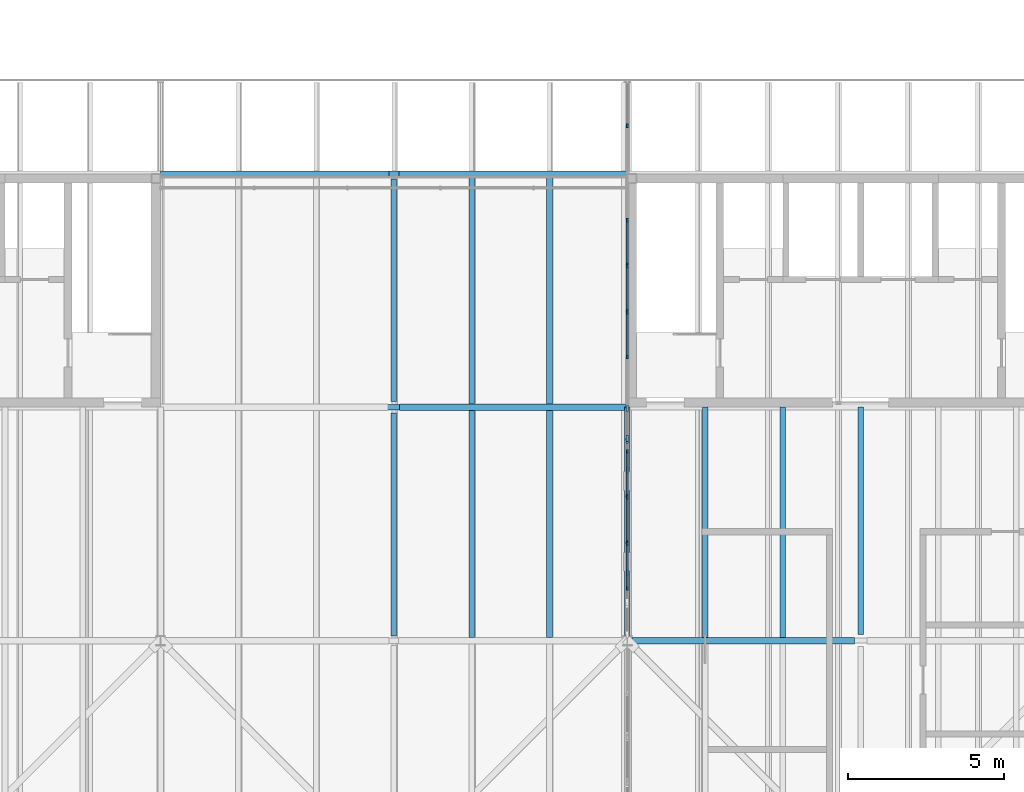
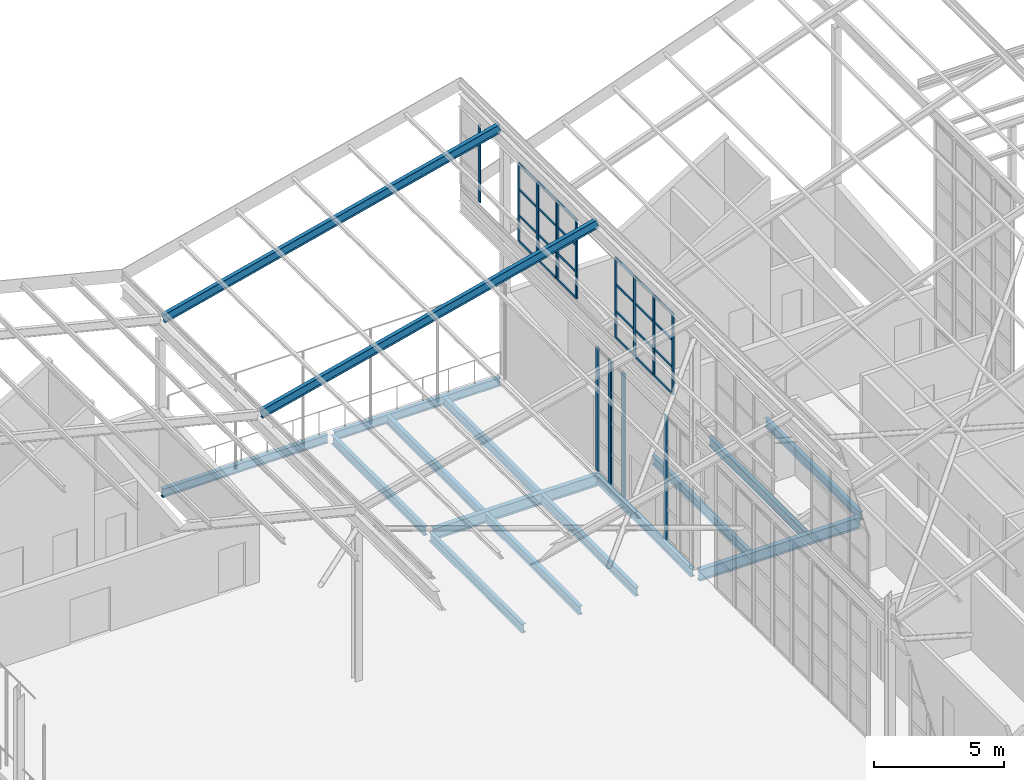
# One storey, part 39 of 483: 44 members, 14 beams, 10 elements without a shape of their own.
"""IFC4 building model written with IfcOpenShell, lengths in metres."""

import ifcopenshell
import ifcopenshell.guid

model = None  # the IFC model being written
_history = None  # IfcOwnerHistory: only IFC2X3 demands one
_inside = {}  # id of a spatial element -> (the spatial element, [elements in it])
_under = {}  # id of a project, library or spatial element -> (it, [spatial elements below it])
_declared = {}  # id of a project -> (the project, [libraries it declares])
_typed = {}  # id of a type object -> (the type object, [elements of that type])
_made_of = {}  # id of a material, layer set ... -> (it, [elements and type objects made of it])


def new_model(schema):
    """Start an empty IFC model of exactly this schema.

    Asked for "IFC4X3", IfcOpenShell would pick the latest addendum, in which some entities
    have other attributes; the version numbers below select the first issue.
    IFC2X3 requires an IfcOwnerHistory on every rooted entity: one is made here for all.
    """
    global model, _history
    if schema == "IFC4X3":
        model = ifcopenshell.file(schema_version=(4, 3, 0, 0))
    else:
        model = ifcopenshell.file(schema=schema)
    _inside.clear()
    _under.clear()
    _declared.clear()
    _typed.clear()
    _made_of.clear()
    _history = None
    if model.schema == "IFC2X3":
        org = make("IfcOrganization", Name="unknown")
        user = make(
            "IfcPersonAndOrganization",
            ThePerson=make("IfcPerson", FamilyName="unknown"),
            TheOrganization=org,
        )
        app = make(
            "IfcApplication",
            ApplicationDeveloper=org,
            Version="unknown",
            ApplicationFullName="unknown",
            ApplicationIdentifier="unknown",
        )
        _history = make(
            "IfcOwnerHistory",
            OwningUser=user,
            OwningApplication=app,
            ChangeAction="ADDED",
            CreationDate=0,
        )
    return model


def make(cls, **values):
    """One entity of the class cls with the attributes given. An attribute that is None is left unset."""
    return model.create_entity(
        cls, **{name: value for name, value in values.items() if value is not None}
    )


def rooted(cls, **values):
    """An entity with a GlobalId (a new one), such as an element, a storey or a relation."""
    return make(cls, GlobalId=ifcopenshell.guid.new(), OwnerHistory=_history, **values)


def si_unit(unit_type, name, prefix=None):
    """IfcSIUnit, for example si_unit("LENGTHUNIT", "METRE", prefix="MILLI")."""
    return make("IfcSIUnit", UnitType=unit_type, Prefix=prefix, Name=name)


def assignment(units):
    """IfcUnitAssignment: the units of a project."""
    return None if units is None else make("IfcUnitAssignment", Units=units)


def point(xyz):
    """IfcCartesianPoint."""
    return None if xyz is None else make("IfcCartesianPoint", Coordinates=xyz)


def direction(xyz):
    """IfcDirection."""
    return None if xyz is None else make("IfcDirection", DirectionRatios=xyz)


def frame(location, z_axis=None, x_axis=None):
    """IfcAxis2Placement3D, a coordinate frame: its origin and axes. An axis left out is left unset."""
    return make(
        "IfcAxis2Placement3D",
        Location=point(location),
        Axis=direction(z_axis),
        RefDirection=direction(x_axis),
    )


def frame_2d(location, x_axis=None):
    """IfcAxis2Placement2D, a coordinate frame in the plane: its origin and x axis."""
    return make(
        "IfcAxis2Placement2D", Location=point(location), RefDirection=direction(x_axis)
    )


def origin():
    """The frame at (0, 0, 0) with its axes left unset."""
    return frame((0.0, 0.0, 0.0))


def origin_2d():
    """The frame at (0, 0) in the plane with its x axis left unset."""
    return frame_2d((0.0, 0.0))


def place(relative_to, where):
    """IfcLocalPlacement: puts the frame where relative to a parent placement (None: the world)."""
    return make(
        "IfcLocalPlacement", PlacementRelTo=relative_to, RelativePlacement=where
    )


def context(
    kind, dimensions, precision=None, world=None, true_north=None, identifier=None
):
    """IfcGeometricRepresentationContext, for example the 3D "Model" context."""
    return make(
        "IfcGeometricRepresentationContext",
        ContextIdentifier=identifier,
        ContextType=kind,
        CoordinateSpaceDimension=dimensions,
        Precision=precision,
        WorldCoordinateSystem=world,
        TrueNorth=true_north,
    )


def subcontext(parent, identifier, kind, view, scale=None):
    """IfcGeometricRepresentationSubContext, for example "Body" below "Model"."""
    return make(
        "IfcGeometricRepresentationSubContext",
        ContextIdentifier=identifier,
        ContextType=kind,
        ParentContext=parent,
        TargetScale=scale,
        TargetView=view,
    )


def project(units=None, contexts=None):
    """IfcProject with its units and contexts."""
    return rooted(
        "IfcProject",
        Name="project",
        RepresentationContexts=contexts,
        UnitsInContext=assignment(units),
    )


def spatial(cls, under=None, at=None, **own):
    """A site, building, storey or space (cls), placed at a placement, below another one or the project."""
    s = rooted(cls, ObjectPlacement=at, **own)
    if under is not None:
        _under.setdefault(under.id(), (under, []))[1].append(s)
    return s


def profile(cls, at=None, kind="AREA", **sizes):
    """A parametric profile (cls). Its sizes go by their IFC names, for example OverallWidth=200.0."""
    return make(cls, ProfileType=kind, Position=at, **sizes)


def rectangle(**sizes):
    """IfcRectangleProfileDef."""
    return profile("IfcRectangleProfileDef", **sizes)


def i_section(**sizes):
    """IfcIShapeProfileDef."""
    return profile("IfcIShapeProfileDef", **sizes)


def extrude(swept, where, along, depth):
    """IfcExtrudedAreaSolid: the profile swept, set in the frame where, extruded along a direction by depth."""
    return make(
        "IfcExtrudedAreaSolid",
        SweptArea=swept,
        Position=where,
        ExtrudedDirection=direction(along),
        Depth=depth,
    )


def shape(context_of_items, identifier, shape_type, items):
    """IfcShapeRepresentation: the items that make up one representation, for example the "Body"."""
    return make(
        "IfcShapeRepresentation",
        ContextOfItems=context_of_items,
        RepresentationIdentifier=identifier,
        RepresentationType=shape_type,
        Items=items,
    )


def material(Name=None, Category=None):
    """IfcMaterial."""
    return make("IfcMaterial", Name=Name, Category=Category)


def material_profile(
    of_material, cross_section, Name=None, Category=None, Priority=None
):
    """IfcMaterialProfile: a cross section and its material."""
    return make(
        "IfcMaterialProfile",
        Name=Name,
        Material=of_material,
        Profile=cross_section,
        Priority=Priority,
        Category=Category,
    )


def profile_set(profiles, Name=None, composite=None):
    """IfcMaterialProfileSet."""
    return make(
        "IfcMaterialProfileSet",
        Name=Name,
        MaterialProfiles=profiles,
        CompositeProfile=composite,
    )


def made_of(thing, what):
    """Note that an element or type object is made of a material, layer set ...; save() writes the relation."""
    if what is not None:
        _made_of.setdefault(what.id(), (what, []))[1].append(thing)
    return thing


def type_object(cls, material=None, **own):
    """A type object (cls), such as IfcWallType, which elements share."""
    return made_of(rooted(cls, **own), material)


def element(
    cls,
    number,
    at=None,
    inside=None,
    cuts=None,
    type_object=None,
    material=None,
    context=None,
    identifier="Body",
    shape_type=None,
    held_by="IfcProductDefinitionShape",
    body=None,
    shapes=None,
    **own,
):
    """One element of the class cls, such as IfcWall. Its Tag is "e" and its number.

    at: its placement. inside: the storey or other place that contains it. cuts: it is an
    opening in that element (IfcRelVoidsElement). A single representation is given by context,
    identifier, shape_type and body (its items); several are given by shapes. held_by: the class
    of the entity that holds the representations. save() writes the other relations.
    """
    e = rooted(cls, Tag="e%d" % number, ObjectPlacement=at, **own)
    if body is not None:
        shapes = [shape(context, identifier, shape_type, body)]
    if shapes is not None:
        e.Representation = make(held_by, Representations=shapes)
    if inside is not None:
        _inside.setdefault(inside.id(), (inside, []))[1].append(e)
    if cuts is not None:
        rooted(
            "IfcRelVoidsElement", RelatingBuildingElement=cuts, RelatedOpeningElement=e
        )
    if type_object is not None:
        _typed.setdefault(type_object.id(), (type_object, []))[1].append(e)
    return made_of(e, material)


def aggregate(whole, parts):
    """IfcRelAggregates: a whole, such as a stair, and the parts it consists of."""
    return rooted("IfcRelAggregates", RelatingObject=whole, RelatedObjects=parts)


def save(model, path):
    """Write the relations noted so far, then the file.

    IfcRelAggregates (storeys below a building ...), IfcRelContainedInSpatialStructure (elements
    in a storey), IfcRelDefinesByType, IfcRelAssociatesMaterial and IfcRelDeclares: one each for
    every whole, place, type object, material and project.
    """
    for whole, parts in _under.values():
        aggregate(whole, parts)
    for where, things in _inside.values():
        rooted(
            "IfcRelContainedInSpatialStructure",
            RelatedElements=things,
            RelatingStructure=where,
        )
    for kind, things in _typed.values():
        rooted("IfcRelDefinesByType", RelatedObjects=things, RelatingType=kind)
    for what, things in _made_of.values():
        rooted("IfcRelAssociatesMaterial", RelatedObjects=things, RelatingMaterial=what)
    for by, libraries in _declared.values():
        rooted("IfcRelDeclares", RelatingContext=by, RelatedDefinitions=libraries)
    model.write(path)


model = new_model("IFC4")

# Units and contexts
model_context = context("Model", 3, precision=1e-05, world=origin(), true_north=direction((0.0, 1.0)))
body_context = subcontext(model_context, "Body", "Model", "MODEL_VIEW")
ifc_project = project(units=[si_unit("LENGTHUNIT", "METRE"), si_unit("AREAUNIT", "SQUARE_METRE"), si_unit("VOLUMEUNIT", "CUBIC_METRE"), si_unit("PLANEANGLEUNIT", "RADIAN"), si_unit("MASSUNIT", "GRAM", prefix="KILO")], contexts=[model_context])

# Site, building, storey
site_placement = place(None, origin())
site = spatial("IfcSite", under=ifc_project, at=site_placement, CompositionType="ELEMENT")
building_placement = place(site_placement, origin())
building = spatial("IfcBuilding", under=site, at=building_placement, Name="Parallax Yard Mobility Hub", CompositionType="ELEMENT")
storey_placement = place(building_placement, frame((0.0, 0.0, 13.199951171875)))
storey = spatial("IfcBuildingStorey", under=building, at=storey_placement, Name="L04", CompositionType="ELEMENT", Elevation=13.199951171875)

# Curtain wall, members
ifc_material_1 = material(Name="Thermally broken aluminium curtain wall system", Category="aluminium")
curtain_wall_type_1 = type_object("IfcCurtainWallType", Name="Clerestory glazing run 60 x 120 frame", PredefinedType="NOTDEFINED", material=ifc_material_1)
curtain_wall_1_placement = place(storey_placement, origin())
curtain_wall_1 = element("IfcCurtainWall", 1, at=curtain_wall_1_placement, inside=storey, type_object=curtain_wall_type_1, Name="Clerestory glazing run Rooftop sports deck roof step 1 bay 4 level L04", PredefinedType="NOTDEFINED")
ifc_material_2 = material(Name="Extruded aluminium", Category="aluminium")
ifc_material_profile_1 = material_profile(ifc_material_2, rectangle(XDim=0.06005859375, YDim=0.1201171875, at=origin_2d()), Name="Mullion 60 x 120")
ifc_profile_set_1 = profile_set([ifc_material_profile_1], Name="Extruded aluminium")
member_type_1 = type_object("IfcMemberType", Name="Mullion 60 x 120", PredefinedType="MULLION", material=ifc_profile_set_1)
member_1_placement = place(storey_placement, frame((127.5, 39.17578125, 7.087890625), z_axis=(0.0, 0.0, 1.0), x_axis=(-1.0, 0.0, 0.0)))
member_1 = element("IfcMember", 2, at=member_1_placement, type_object=member_type_1, Name="CW4 mullion 1", PredefinedType="MULLION", context=body_context, shape_type="SweptSolid", body=[
    extrude(rectangle(XDim=0.06005859375, YDim=0.1201171875, at=origin_2d()), origin(), (0.0, 0.0, 1.0), 3.800048828125),
])
member_2_placement = place(storey_placement, frame((127.5, 40.6025390625, 7.087890625), z_axis=(0.0, 0.0, 1.0), x_axis=(-1.0, 0.0, 0.0)))
member_2 = element("IfcMember", 3, at=member_2_placement, type_object=member_type_1, Name="CW4 mullion 2", PredefinedType="MULLION", context=body_context, shape_type="SweptSolid", body=[
    extrude(rectangle(XDim=0.06005859375, YDim=0.1201171875, at=origin_2d()), origin(), (0.0, 0.0, 1.0), 3.800048828125),
])

curtain_wall_2_placement = place(storey_placement, origin())
curtain_wall_2 = element("IfcCurtainWall", 4, at=curtain_wall_2_placement, inside=storey, type_object=curtain_wall_type_1, Name="Clerestory glazing run Rooftop sports deck roof step 1 bay 4 level L04", PredefinedType="NOTDEFINED")
member_3_placement = place(storey_placement, frame((127.5, 40.66259765625, 7.087890625), z_axis=(0.0, 0.0, 1.0), x_axis=(-1.0, 0.0, 0.0)))
member_3 = element("IfcMember", 5, at=member_3_placement, type_object=member_type_1, Name="CW4 mullion 1", PredefinedType="MULLION", context=body_context, shape_type="SweptSolid", body=[
    extrude(rectangle(XDim=0.06005859375, YDim=0.1201171875, at=origin_2d()), origin(), (0.0, 0.0, 1.0), 3.78515625),
])
member_4_placement = place(storey_placement, frame((127.5, 42.08935546875, 7.087890625), z_axis=(0.0, 0.0, 1.0), x_axis=(-1.0, 0.0, 0.0)))
member_4 = element("IfcMember", 6, at=member_4_placement, type_object=member_type_1, Name="CW4 mullion 2", PredefinedType="MULLION", context=body_context, shape_type="SweptSolid", body=[
    extrude(rectangle(XDim=0.06005859375, YDim=0.1201171875, at=origin_2d()), origin(), (0.0, 0.0, 1.0), 3.78515625),
])

curtain_wall_3_placement = place(storey_placement, origin())
curtain_wall_3 = element("IfcCurtainWall", 7, at=curtain_wall_3_placement, inside=storey, type_object=curtain_wall_type_1, Name="Clerestory glazing run Rooftop sports deck roof step 1 bay 4 level L04", PredefinedType="NOTDEFINED")
member_5_placement = place(storey_placement, frame((127.5, 42.1494140625, 7.087890625), z_axis=(0.0, 0.0, 1.0), x_axis=(-1.0, 0.0, 0.0)))
member_5 = element("IfcMember", 8, at=member_5_placement, type_object=member_type_1, Name="CW4 mullion 1", PredefinedType="MULLION", context=body_context, shape_type="SweptSolid", body=[
    extrude(rectangle(XDim=0.06005859375, YDim=0.1201171875, at=origin_2d()), origin(), (0.0, 0.0, 1.0), 3.770263671875),
])
member_6_placement = place(storey_placement, frame((127.5, 43.575927734375, 7.087890625), z_axis=(0.0, 0.0, 1.0), x_axis=(-1.0, 0.0, 0.0)))
member_6 = element("IfcMember", 9, at=member_6_placement, type_object=member_type_1, Name="CW4 mullion 2", PredefinedType="MULLION", context=body_context, shape_type="SweptSolid", body=[
    extrude(rectangle(XDim=0.06005859375, YDim=0.1201171875, at=origin_2d()), origin(), (0.0, 0.0, 1.0), 3.770263671875),
])

curtain_wall_4_placement = place(storey_placement, origin())
curtain_wall_4 = element("IfcCurtainWall", 10, at=curtain_wall_4_placement, inside=storey, type_object=curtain_wall_type_1, Name="Clerestory glazing run Rooftop sports deck roof step 1 bay 4 level L04", PredefinedType="NOTDEFINED")
member_7_placement = place(storey_placement, frame((127.5, 46.609619140625, 7.087890625), z_axis=(0.0, 0.0, 1.0), x_axis=(-1.0, 0.0, 0.0)))
member_7 = element("IfcMember", 11, at=member_7_placement, type_object=member_type_1, Name="CW4 mullion 1", PredefinedType="MULLION", context=body_context, shape_type="SweptSolid", body=[
    extrude(rectangle(XDim=0.06005859375, YDim=0.1201171875, at=origin_2d()), origin(), (0.0, 0.0, 1.0), 3.72607421875),
])
member_8_placement = place(storey_placement, frame((127.5, 48.0361328125, 7.087890625), z_axis=(0.0, 0.0, 1.0), x_axis=(-1.0, 0.0, 0.0)))
member_8 = element("IfcMember", 12, at=member_8_placement, type_object=member_type_1, Name="CW4 mullion 2", PredefinedType="MULLION", context=body_context, shape_type="SweptSolid", body=[
    extrude(rectangle(XDim=0.06005859375, YDim=0.1201171875, at=origin_2d()), origin(), (0.0, 0.0, 1.0), 3.72607421875),
])

curtain_wall_5_placement = place(storey_placement, origin())
curtain_wall_5 = element("IfcCurtainWall", 13, at=curtain_wall_5_placement, inside=storey, type_object=curtain_wall_type_1, Name="Clerestory glazing run Rooftop sports deck roof step 1 bay 4 level L04", PredefinedType="NOTDEFINED")
member_9_placement = place(storey_placement, frame((127.5, 48.09619140625, 7.087890625), z_axis=(0.0, 0.0, 1.0), x_axis=(-1.0, 0.0, 0.0)))
member_9 = element("IfcMember", 14, at=member_9_placement, type_object=member_type_1, Name="CW4 mullion 1", PredefinedType="MULLION", context=body_context, shape_type="SweptSolid", body=[
    extrude(rectangle(XDim=0.06005859375, YDim=0.1201171875, at=origin_2d()), origin(), (0.0, 0.0, 1.0), 3.711181640625),
])
member_10_placement = place(storey_placement, frame((127.5, 49.52294921875, 7.087890625), z_axis=(0.0, 0.0, 1.0), x_axis=(-1.0, 0.0, 0.0)))
member_10 = element("IfcMember", 15, at=member_10_placement, type_object=member_type_1, Name="CW4 mullion 2", PredefinedType="MULLION", context=body_context, shape_type="SweptSolid", body=[
    extrude(rectangle(XDim=0.06005859375, YDim=0.1201171875, at=origin_2d()), origin(), (0.0, 0.0, 1.0), 3.711181640625),
])

curtain_wall_6_placement = place(storey_placement, origin())
curtain_wall_6 = element("IfcCurtainWall", 16, at=curtain_wall_6_placement, inside=storey, type_object=curtain_wall_type_1, Name="Clerestory glazing run Rooftop sports deck roof step 1 bay 4 level L04", PredefinedType="NOTDEFINED")
member_11_placement = place(storey_placement, frame((127.5, 49.5830078125, 7.087890625), z_axis=(0.0, 0.0, 1.0), x_axis=(-1.0, 0.0, 0.0)))
member_11 = element("IfcMember", 17, at=member_11_placement, type_object=member_type_1, Name="CW4 mullion 1", PredefinedType="MULLION", context=body_context, shape_type="SweptSolid", body=[
    extrude(rectangle(XDim=0.06005859375, YDim=0.1201171875, at=origin_2d()), origin(), (0.0, 0.0, 1.0), 3.696044921875),
])
member_12_placement = place(storey_placement, frame((127.5, 51.009765625, 7.087890625), z_axis=(0.0, 0.0, 1.0), x_axis=(-1.0, 0.0, 0.0)))
member_12 = element("IfcMember", 18, at=member_12_placement, type_object=member_type_1, Name="CW4 mullion 2", PredefinedType="MULLION", context=body_context, shape_type="SweptSolid", body=[
    extrude(rectangle(XDim=0.06005859375, YDim=0.1201171875, at=origin_2d()), origin(), (0.0, 0.0, 1.0), 3.696044921875),
])

# Curtain wall, member
curtain_wall_7_placement = place(storey_placement, origin())
curtain_wall_7 = element("IfcCurtainWall", 19, at=curtain_wall_7_placement, inside=storey, type_object=curtain_wall_type_1, Name="Clerestory glazing run Rooftop sports deck roof step 1 bay 4 level L04", PredefinedType="NOTDEFINED")
member_13_placement = place(storey_placement, frame((127.5, 54.043212890625, 7.087890625), z_axis=(0.0, 0.0, 1.0), x_axis=(-1.0, 0.0, 0.0)))
member_13 = element("IfcMember", 20, at=member_13_placement, type_object=member_type_1, Name="CW4 mullion 1", PredefinedType="MULLION", context=body_context, shape_type="SweptSolid", body=[
    extrude(rectangle(XDim=0.06005859375, YDim=0.1201171875, at=origin_2d()), origin(), (0.0, 0.0, 1.0), 3.652099609375),
])
aggregate(curtain_wall_7, [member_13])

curtain_wall_type_2 = type_object("IfcCurtainWallType", Name="Tall curtain wall run 75 x 200 frame", PredefinedType="NOTDEFINED", material=ifc_material_1)
curtain_wall_8_placement = place(storey_placement, origin())
curtain_wall_8 = element("IfcCurtainWall", 21, at=curtain_wall_8_placement, inside=storey, type_object=curtain_wall_type_2, Name="Curtain wall run Rooftop sports deck west bay 3 level L04", PredefinedType="NOTDEFINED")
ifc_material_profile_2 = material_profile(ifc_material_2, rectangle(XDim=0.074951171875, YDim=0.199951171875, at=origin_2d()), Name="Mullion 75 x 200")
ifc_profile_set_2 = profile_set([ifc_material_profile_2], Name="Extruded aluminium")
member_type_2 = type_object("IfcMemberType", Name="Mullion 75 x 200", PredefinedType="MULLION", material=ifc_profile_set_2)
member_14_placement = place(storey_placement, frame((127.5, 39.69189453125, 0.0), z_axis=(0.0, 0.0, 1.0), x_axis=(-1.0, 0.0, 0.0)))
member_14 = element("IfcMember", 22, at=member_14_placement, type_object=member_type_2, Name="CW3 mullion 2", PredefinedType="MULLION", context=body_context, shape_type="SweptSolid", body=[
    extrude(rectangle(XDim=0.074951171875, YDim=0.199951171875, at=origin_2d()), origin(), (0.0, 0.0, 1.0), 5.800048828125),
])
aggregate(curtain_wall_8, [member_14])

# Curtain wall, members
curtain_wall_9_placement = place(storey_placement, origin())
curtain_wall_9 = element("IfcCurtainWall", 23, at=curtain_wall_9_placement, inside=storey, type_object=curtain_wall_type_2, Name="Curtain wall run Rooftop sports deck west bay 3 level L04", PredefinedType="NOTDEFINED")
member_15_placement = place(storey_placement, frame((127.5, 42.967041015625, 0.0), z_axis=(0.0, 0.0, 1.0), x_axis=(-1.0, 0.0, 0.0)))
member_15 = element("IfcMember", 24, at=member_15_placement, type_object=member_type_2, Name="CW3 mullion 1", PredefinedType="MULLION", context=body_context, shape_type="SweptSolid", body=[
    extrude(rectangle(XDim=0.074951171875, YDim=0.199951171875, at=origin_2d()), origin(), (0.0, 0.0, 1.0), 5.800048828125),
])
member_16_placement = place(storey_placement, frame((127.5, 43.92724609375, 0.0), z_axis=(0.0, 0.0, 1.0), x_axis=(-1.0, 0.0, 0.0)))
member_16 = element("IfcMember", 25, at=member_16_placement, type_object=member_type_2, Name="CW3 mullion 2", PredefinedType="MULLION", context=body_context, shape_type="SweptSolid", body=[
    extrude(rectangle(XDim=0.074951171875, YDim=0.199951171875, at=origin_2d()), origin(), (0.0, 0.0, 1.0), 5.800048828125),
])
aggregate(curtain_wall_9, [member_15, member_16])

curtain_wall_10_placement = place(storey_placement, origin())
curtain_wall_10 = element("IfcCurtainWall", 26, at=curtain_wall_10_placement, inside=storey, type_object=curtain_wall_type_2, Name="Curtain wall run Rooftop sports deck west bay 3 level L04", PredefinedType="NOTDEFINED")
member_17_placement = place(storey_placement, frame((127.5, 44.002197265625, 0.0), z_axis=(0.0, 0.0, 1.0), x_axis=(-1.0, 0.0, 0.0)))
member_17 = element("IfcMember", 27, at=member_17_placement, type_object=member_type_2, Name="CW3 mullion 1", PredefinedType="MULLION", context=body_context, shape_type="SweptSolid", body=[
    extrude(rectangle(XDim=0.074951171875, YDim=0.199951171875, at=origin_2d()), origin(), (0.0, 0.0, 1.0), 5.800048828125),
])
member_18_placement = place(storey_placement, frame((127.5, 44.96240234375, 0.0), z_axis=(0.0, 0.0, 1.0), x_axis=(-1.0, 0.0, 0.0)))
member_18 = element("IfcMember", 28, at=member_18_placement, type_object=member_type_2, Name="CW3 mullion 2", PredefinedType="MULLION", context=body_context, shape_type="SweptSolid", body=[
    extrude(rectangle(XDim=0.074951171875, YDim=0.199951171875, at=origin_2d()), origin(), (0.0, 0.0, 1.0), 5.800048828125),
])
aggregate(curtain_wall_10, [member_17, member_18])

# Members
ifc_material_3 = material(Name="Steel ASTM A992", Category="steel")
ifc_material_profile_3 = material_profile(ifc_material_3, i_section(OverallWidth=0.177978515625, OverallDepth=0.406982421875, WebThickness=0.0078125, FlangeThickness=0.0126953125, at=origin_2d()), Name="W410x60")
ifc_profile_set_3 = profile_set([ifc_material_profile_3], Name="Steel ASTM A992")
member_type_3 = type_object("IfcMemberType", Name="Roof rafter W410x60", PredefinedType="RAFTER", material=ifc_profile_set_3)
for number, where, z_axis, x_axis, name in (
    (29, (112.54931640625, 44.998046875, 7.880126953125), (0.970142500145, 0.0, 0.242535625036), (0.002352689629, 0.999952950131, -0.009410758517), "Roof rafter court east wing at y 45"),
    (30, (112.54931640625, 52.498046875, 7.80517578125), (0.970142500145, 0.0, 0.242535625036), (0.002352689629, 0.999952950131, -0.009410758517), "Roof rafter court east wing at y 52.5"),
):
    element("IfcMember", number, at=place(storey_placement, frame(where, z_axis=z_axis, x_axis=x_axis)), inside=storey, type_object=member_type_3, Name=name, PredefinedType="RAFTER", context=body_context, shape_type="SweptSolid", body=[
        extrude(i_section(OverallWidth=0.177978515625, OverallDepth=0.406982421875, WebThickness=0.0078125, FlangeThickness=0.0126953125, at=origin_2d()), origin(), (0.0, 0.0, 1.0), 15.410400390625),
    ])

# Member
ifc_material_profile_4 = material_profile(ifc_material_2, rectangle(XDim=0.06005859375, YDim=0.10009765625, at=origin_2d()), Name="Transom 60 x 100")
ifc_profile_set_4 = profile_set([ifc_material_profile_4], Name="Extruded aluminium")
member_type_4 = type_object("IfcMemberType", Name="Transom 60 x 100", PredefinedType="USERDEFINED", material=ifc_profile_set_4)
member_19_placement = place(storey_placement, frame((127.5, 39.205810546875, 7.117919921875), z_axis=(0.0, 1.0, 0.0), x_axis=(-1.0, 0.0, 0.0)))
member_19 = element("IfcMember", 31, at=member_19_placement, type_object=member_type_4, Name="CW4 transom 1.1", ObjectType="TRANSOM", PredefinedType="USERDEFINED", context=body_context, shape_type="SweptSolid", body=[
    extrude(rectangle(XDim=0.06005859375, YDim=0.10009765625, at=origin_2d()), origin(), (0.0, 0.0, 1.0), 1.36669921875),
])

member_20_placement = place(storey_placement, frame((127.5, 39.205810546875, 8.3544921875), z_axis=(0.0, 1.0, 0.0), x_axis=(-1.0, 0.0, 0.0)))
member_20 = element("IfcMember", 32, at=member_20_placement, type_object=member_type_4, Name="CW4 transom 1.2", ObjectType="TRANSOM", PredefinedType="USERDEFINED", context=body_context, shape_type="SweptSolid", body=[
    extrude(rectangle(XDim=0.06005859375, YDim=0.10009765625, at=origin_2d()), origin(), (0.0, 0.0, 1.0), 1.36669921875),
])

member_21_placement = place(storey_placement, frame((127.5, 39.205810546875, 9.621337890625), z_axis=(0.0, 1.0, 0.0), x_axis=(-1.0, 0.0, 0.0)))
member_21 = element("IfcMember", 33, at=member_21_placement, type_object=member_type_4, Name="CW4 transom 1.3", ObjectType="TRANSOM", PredefinedType="USERDEFINED", context=body_context, shape_type="SweptSolid", body=[
    extrude(rectangle(XDim=0.06005859375, YDim=0.10009765625, at=origin_2d()), origin(), (0.0, 0.0, 1.0), 1.36669921875),
])

member_22_placement = place(storey_placement, frame((127.5, 39.205810546875, 10.858154296875), z_axis=(0.0, 1.0, 0.0), x_axis=(-1.0, 0.0, 0.0)))
member_22 = element("IfcMember", 34, at=member_22_placement, type_object=member_type_4, Name="CW4 transom 1.4", ObjectType="TRANSOM", PredefinedType="USERDEFINED", context=body_context, shape_type="SweptSolid", body=[
    extrude(rectangle(XDim=0.06005859375, YDim=0.10009765625, at=origin_2d()), origin(), (0.0, 0.0, 1.0), 1.36669921875),
])

aggregate(curtain_wall_1, [member_1, member_2, member_19, member_20, member_21, member_22])

member_23_placement = place(storey_placement, frame((127.5, 40.6923828125, 7.117919921875), z_axis=(0.0, 1.0, 0.0), x_axis=(-1.0, 0.0, 0.0)))
member_23 = element("IfcMember", 35, at=member_23_placement, type_object=member_type_4, Name="CW4 transom 1.1", ObjectType="TRANSOM", PredefinedType="USERDEFINED", context=body_context, shape_type="SweptSolid", body=[
    extrude(rectangle(XDim=0.06005859375, YDim=0.10009765625, at=origin_2d()), origin(), (0.0, 0.0, 1.0), 1.366943359375),
])

member_24_placement = place(storey_placement, frame((127.5, 40.6923828125, 8.349609375), z_axis=(0.0, 1.0, 0.0), x_axis=(-1.0, 0.0, 0.0)))
member_24 = element("IfcMember", 36, at=member_24_placement, type_object=member_type_4, Name="CW4 transom 1.2", ObjectType="TRANSOM", PredefinedType="USERDEFINED", context=body_context, shape_type="SweptSolid", body=[
    extrude(rectangle(XDim=0.06005859375, YDim=0.10009765625, at=origin_2d()), origin(), (0.0, 0.0, 1.0), 1.366943359375),
])

member_25_placement = place(storey_placement, frame((127.5, 40.6923828125, 9.611328125), z_axis=(0.0, 1.0, 0.0), x_axis=(-1.0, 0.0, 0.0)))
member_25 = element("IfcMember", 37, at=member_25_placement, type_object=member_type_4, Name="CW4 transom 1.3", ObjectType="TRANSOM", PredefinedType="USERDEFINED", context=body_context, shape_type="SweptSolid", body=[
    extrude(rectangle(XDim=0.06005859375, YDim=0.10009765625, at=origin_2d()), origin(), (0.0, 0.0, 1.0), 1.366943359375),
])

member_26_placement = place(storey_placement, frame((127.5, 40.6923828125, 10.843017578125), z_axis=(0.0, 1.0, 0.0), x_axis=(-1.0, 0.0, 0.0)))
member_26 = element("IfcMember", 38, at=member_26_placement, type_object=member_type_4, Name="CW4 transom 1.4", ObjectType="TRANSOM", PredefinedType="USERDEFINED", context=body_context, shape_type="SweptSolid", body=[
    extrude(rectangle(XDim=0.06005859375, YDim=0.10009765625, at=origin_2d()), origin(), (0.0, 0.0, 1.0), 1.366943359375),
])

aggregate(curtain_wall_2, [member_3, member_4, member_23, member_24, member_25, member_26])

member_27_placement = place(storey_placement, frame((127.5, 42.17919921875, 7.117919921875), z_axis=(0.0, 1.0, 0.0), x_axis=(-1.0, 0.0, 0.0)))
member_27 = element("IfcMember", 39, at=member_27_placement, type_object=member_type_4, Name="CW4 transom 1.1", ObjectType="TRANSOM", PredefinedType="USERDEFINED", context=body_context, shape_type="SweptSolid", body=[
    extrude(rectangle(XDim=0.06005859375, YDim=0.10009765625, at=origin_2d()), origin(), (0.0, 0.0, 1.0), 1.36669921875),
])

member_28_placement = place(storey_placement, frame((127.5, 42.17919921875, 8.344482421875), z_axis=(0.0, 1.0, 0.0), x_axis=(-1.0, 0.0, 0.0)))
member_28 = element("IfcMember", 40, at=member_28_placement, type_object=member_type_4, Name="CW4 transom 1.2", ObjectType="TRANSOM", PredefinedType="USERDEFINED", context=body_context, shape_type="SweptSolid", body=[
    extrude(rectangle(XDim=0.06005859375, YDim=0.10009765625, at=origin_2d()), origin(), (0.0, 0.0, 1.0), 1.36669921875),
])

member_29_placement = place(storey_placement, frame((127.5, 42.17919921875, 9.601318359375), z_axis=(0.0, 1.0, 0.0), x_axis=(-1.0, 0.0, 0.0)))
member_29 = element("IfcMember", 41, at=member_29_placement, type_object=member_type_4, Name="CW4 transom 1.3", ObjectType="TRANSOM", PredefinedType="USERDEFINED", context=body_context, shape_type="SweptSolid", body=[
    extrude(rectangle(XDim=0.06005859375, YDim=0.10009765625, at=origin_2d()), origin(), (0.0, 0.0, 1.0), 1.36669921875),
])

member_30_placement = place(storey_placement, frame((127.5, 42.17919921875, 10.828125), z_axis=(0.0, 1.0, 0.0), x_axis=(-1.0, 0.0, 0.0)))
member_30 = element("IfcMember", 42, at=member_30_placement, type_object=member_type_4, Name="CW4 transom 1.4", ObjectType="TRANSOM", PredefinedType="USERDEFINED", context=body_context, shape_type="SweptSolid", body=[
    extrude(rectangle(XDim=0.06005859375, YDim=0.10009765625, at=origin_2d()), origin(), (0.0, 0.0, 1.0), 1.36669921875),
])

aggregate(curtain_wall_3, [member_5, member_6, member_27, member_28, member_29, member_30])

member_31_placement = place(storey_placement, frame((127.5, 46.639404296875, 7.117919921875), z_axis=(0.0, 1.0, 0.0), x_axis=(-1.0, 0.0, 0.0)))
member_31 = element("IfcMember", 43, at=member_31_placement, type_object=member_type_4, Name="CW4 transom 1.1", ObjectType="TRANSOM", PredefinedType="USERDEFINED", context=body_context, shape_type="SweptSolid", body=[
    extrude(rectangle(XDim=0.06005859375, YDim=0.10009765625, at=origin_2d()), origin(), (0.0, 0.0, 1.0), 1.36669921875),
])

member_32_placement = place(storey_placement, frame((127.5, 46.639404296875, 8.329833984375), z_axis=(0.0, 1.0, 0.0), x_axis=(-1.0, 0.0, 0.0)))
member_32 = element("IfcMember", 44, at=member_32_placement, type_object=member_type_4, Name="CW4 transom 1.2", ObjectType="TRANSOM", PredefinedType="USERDEFINED", context=body_context, shape_type="SweptSolid", body=[
    extrude(rectangle(XDim=0.06005859375, YDim=0.10009765625, at=origin_2d()), origin(), (0.0, 0.0, 1.0), 1.36669921875),
])

member_33_placement = place(storey_placement, frame((127.5, 46.639404296875, 9.572021484375), z_axis=(0.0, 1.0, 0.0), x_axis=(-1.0, 0.0, 0.0)))
member_33 = element("IfcMember", 45, at=member_33_placement, type_object=member_type_4, Name="CW4 transom 1.3", ObjectType="TRANSOM", PredefinedType="USERDEFINED", context=body_context, shape_type="SweptSolid", body=[
    extrude(rectangle(XDim=0.06005859375, YDim=0.10009765625, at=origin_2d()), origin(), (0.0, 0.0, 1.0), 1.36669921875),
])

member_34_placement = place(storey_placement, frame((127.5, 46.639404296875, 10.783935546875), z_axis=(0.0, 1.0, 0.0), x_axis=(-1.0, 0.0, 0.0)))
member_34 = element("IfcMember", 46, at=member_34_placement, type_object=member_type_4, Name="CW4 transom 1.4", ObjectType="TRANSOM", PredefinedType="USERDEFINED", context=body_context, shape_type="SweptSolid", body=[
    extrude(rectangle(XDim=0.06005859375, YDim=0.10009765625, at=origin_2d()), origin(), (0.0, 0.0, 1.0), 1.36669921875),
])

aggregate(curtain_wall_4, [member_7, member_8, member_31, member_32, member_33, member_34])

member_35_placement = place(storey_placement, frame((127.5, 48.126220703125, 7.117919921875), z_axis=(0.0, 1.0, 0.0), x_axis=(-1.0, 0.0, 0.0)))
member_35 = element("IfcMember", 47, at=member_35_placement, type_object=member_type_4, Name="CW4 transom 1.1", ObjectType="TRANSOM", PredefinedType="USERDEFINED", context=body_context, shape_type="SweptSolid", body=[
    extrude(rectangle(XDim=0.06005859375, YDim=0.10009765625, at=origin_2d()), origin(), (0.0, 0.0, 1.0), 1.36669921875),
])

member_36_placement = place(storey_placement, frame((127.5, 48.126220703125, 8.324951171875), z_axis=(0.0, 1.0, 0.0), x_axis=(-1.0, 0.0, 0.0)))
member_36 = element("IfcMember", 48, at=member_36_placement, type_object=member_type_4, Name="CW4 transom 1.2", ObjectType="TRANSOM", PredefinedType="USERDEFINED", context=body_context, shape_type="SweptSolid", body=[
    extrude(rectangle(XDim=0.06005859375, YDim=0.10009765625, at=origin_2d()), origin(), (0.0, 0.0, 1.0), 1.36669921875),
])

member_37_placement = place(storey_placement, frame((127.5, 48.126220703125, 9.56201171875), z_axis=(0.0, 1.0, 0.0), x_axis=(-1.0, 0.0, 0.0)))
member_37 = element("IfcMember", 49, at=member_37_placement, type_object=member_type_4, Name="CW4 transom 1.3", ObjectType="TRANSOM", PredefinedType="USERDEFINED", context=body_context, shape_type="SweptSolid", body=[
    extrude(rectangle(XDim=0.06005859375, YDim=0.10009765625, at=origin_2d()), origin(), (0.0, 0.0, 1.0), 1.36669921875),
])

member_38_placement = place(storey_placement, frame((127.5, 48.126220703125, 10.76904296875), z_axis=(0.0, 1.0, 0.0), x_axis=(-1.0, 0.0, 0.0)))
member_38 = element("IfcMember", 50, at=member_38_placement, type_object=member_type_4, Name="CW4 transom 1.4", ObjectType="TRANSOM", PredefinedType="USERDEFINED", context=body_context, shape_type="SweptSolid", body=[
    extrude(rectangle(XDim=0.06005859375, YDim=0.10009765625, at=origin_2d()), origin(), (0.0, 0.0, 1.0), 1.36669921875),
])

aggregate(curtain_wall_5, [member_9, member_10, member_35, member_36, member_37, member_38])

member_39_placement = place(storey_placement, frame((127.5, 49.613037109375, 7.117919921875), z_axis=(0.0, 1.0, 0.0), x_axis=(-1.0, 0.0, 0.0)))
member_39 = element("IfcMember", 51, at=member_39_placement, type_object=member_type_4, Name="CW4 transom 1.1", ObjectType="TRANSOM", PredefinedType="USERDEFINED", context=body_context, shape_type="SweptSolid", body=[
    extrude(rectangle(XDim=0.06005859375, YDim=0.10009765625, at=origin_2d()), origin(), (0.0, 0.0, 1.0), 1.36669921875),
])

member_40_placement = place(storey_placement, frame((127.5, 49.613037109375, 8.320068359375), z_axis=(0.0, 1.0, 0.0), x_axis=(-1.0, 0.0, 0.0)))
member_40 = element("IfcMember", 52, at=member_40_placement, type_object=member_type_4, Name="CW4 transom 1.2", ObjectType="TRANSOM", PredefinedType="USERDEFINED", context=body_context, shape_type="SweptSolid", body=[
    extrude(rectangle(XDim=0.06005859375, YDim=0.10009765625, at=origin_2d()), origin(), (0.0, 0.0, 1.0), 1.36669921875),
])

member_41_placement = place(storey_placement, frame((127.5, 49.613037109375, 9.552001953125), z_axis=(0.0, 1.0, 0.0), x_axis=(-1.0, 0.0, 0.0)))
member_41 = element("IfcMember", 53, at=member_41_placement, type_object=member_type_4, Name="CW4 transom 1.3", ObjectType="TRANSOM", PredefinedType="USERDEFINED", context=body_context, shape_type="SweptSolid", body=[
    extrude(rectangle(XDim=0.06005859375, YDim=0.10009765625, at=origin_2d()), origin(), (0.0, 0.0, 1.0), 1.36669921875),
])

member_42_placement = place(storey_placement, frame((127.5, 49.613037109375, 10.754150390625), z_axis=(0.0, 1.0, 0.0), x_axis=(-1.0, 0.0, 0.0)))
member_42 = element("IfcMember", 54, at=member_42_placement, type_object=member_type_4, Name="CW4 transom 1.4", ObjectType="TRANSOM", PredefinedType="USERDEFINED", context=body_context, shape_type="SweptSolid", body=[
    extrude(rectangle(XDim=0.06005859375, YDim=0.10009765625, at=origin_2d()), origin(), (0.0, 0.0, 1.0), 1.36669921875),
])

aggregate(curtain_wall_6, [member_11, member_12, member_39, member_40, member_41, member_42])

# Beams
ifc_material_profile_5 = material_profile(ifc_material_3, i_section(OverallWidth=0.177978515625, OverallDepth=0.406005859375, WebThickness=0.0078125, FlangeThickness=0.0126953125, FilletRadius=0.01025390625, at=origin_2d()), Name="W410x60")
ifc_profile_set_5 = profile_set([ifc_material_profile_5], Name="Steel ASTM A992")
beam_type_1 = type_object("IfcBeamType", Name="W410x60 secondary beam", PredefinedType="JOIST", material=ifc_profile_set_5)
beam_1_placement = place(storey_placement, frame((122.5, 37.6044921875, -0.343017578125), z_axis=(0.0, 1.0, 0.0), x_axis=(-1.0, 0.0, 0.0)))
element("IfcBeam", 55, at=beam_1_placement, inside=storey, type_object=beam_type_1, Name="Secondary beam B1 level L04, 2.5 m east of line 17 of mobility service centre and workshops, span 5", PredefinedType="JOIST", context=body_context, shape_type="SweptSolid", body=[
    extrude(i_section(OverallWidth=0.177978515625, OverallDepth=0.406005859375, WebThickness=0.0078125, FlangeThickness=0.0126953125, FilletRadius=0.01025390625, at=origin_2d()), origin(), (0.0, 0.0, 1.0), 7.291015625),
])
beam_2_placement = place(storey_placement, frame((122.5, 45.1044921875, -0.343017578125), z_axis=(0.0, 1.0, 0.0), x_axis=(-1.0, 0.0, 0.0)))
element("IfcBeam", 56, at=beam_2_placement, inside=storey, type_object=beam_type_1, Name="Secondary beam B1 level L04, 2.5 m east of line 17 of mobility service centre and workshops, span 6", PredefinedType="JOIST", context=body_context, shape_type="SweptSolid", body=[
    extrude(i_section(OverallWidth=0.177978515625, OverallDepth=0.406005859375, WebThickness=0.0078125, FlangeThickness=0.0126953125, FilletRadius=0.01025390625, at=origin_2d()), origin(), (0.0, 0.0, 1.0), 7.305908203125),
])
beam_3_placement = place(storey_placement, frame((130.0, 37.6044921875, -0.343017578125), z_axis=(0.0, 1.0, 0.0), x_axis=(-1.0, 0.0, 0.0)))
element("IfcBeam", 57, at=beam_3_placement, inside=storey, type_object=beam_type_1, Name="Secondary beam B1 level L04, 2.5 m east of line 18 of mobility service centre and workshops, span 5", PredefinedType="JOIST", context=body_context, shape_type="SweptSolid", body=[
    extrude(i_section(OverallWidth=0.177978515625, OverallDepth=0.406005859375, WebThickness=0.0078125, FlangeThickness=0.0126953125, FilletRadius=0.01025390625, at=origin_2d()), origin(), (0.0, 0.0, 1.0), 7.3955078125),
])
beam_4_placement = place(storey_placement, frame((125.0, 37.6044921875, -0.343017578125), z_axis=(0.0, 1.0, 0.0), x_axis=(-1.0, 0.0, 0.0)))
element("IfcBeam", 58, at=beam_4_placement, inside=storey, type_object=beam_type_1, Name="Secondary beam B1 level L04, 5 m east of line 17 of mobility service centre and workshops, span 5", PredefinedType="JOIST", context=body_context, shape_type="SweptSolid", body=[
    extrude(i_section(OverallWidth=0.177978515625, OverallDepth=0.406005859375, WebThickness=0.0078125, FlangeThickness=0.0126953125, FilletRadius=0.01025390625, at=origin_2d()), origin(), (0.0, 0.0, 1.0), 7.291015625),
])
beam_5_placement = place(storey_placement, frame((125.0, 45.1044921875, -0.343017578125), z_axis=(0.0, 1.0, 0.0), x_axis=(-1.0, 0.0, 0.0)))
element("IfcBeam", 59, at=beam_5_placement, inside=storey, type_object=beam_type_1, Name="Secondary beam B1 level L04, 5 m east of line 17 of mobility service centre and workshops, span 6", PredefinedType="JOIST", context=body_context, shape_type="SweptSolid", body=[
    extrude(i_section(OverallWidth=0.177978515625, OverallDepth=0.406005859375, WebThickness=0.0078125, FlangeThickness=0.0126953125, FilletRadius=0.01025390625, at=origin_2d()), origin(), (0.0, 0.0, 1.0), 7.305908203125),
])
beam_6_placement = place(storey_placement, frame((132.5, 37.6044921875, -0.343017578125), z_axis=(0.0, 1.0, 0.0), x_axis=(-1.0, 0.0, 0.0)))
element("IfcBeam", 60, at=beam_6_placement, inside=storey, type_object=beam_type_1, Name="Secondary beam B1 level L04, 5 m east of line 18 of mobility service centre and workshops, span 5", PredefinedType="JOIST", context=body_context, shape_type="SweptSolid", body=[
    extrude(i_section(OverallWidth=0.177978515625, OverallDepth=0.406005859375, WebThickness=0.0078125, FlangeThickness=0.0126953125, FilletRadius=0.01025390625, at=origin_2d()), origin(), (0.0, 0.0, 1.0), 7.3955078125),
])
ifc_material_profile_6 = material_profile(ifc_material_3, i_section(OverallWidth=0.178955078125, OverallDepth=0.408935546875, WebThickness=0.0087890625, FlangeThickness=0.014404296875, FilletRadius=0.01025390625, at=origin_2d()), Name="W410x67")
ifc_profile_set_6 = profile_set([ifc_material_profile_6], Name="Steel ASTM A992")
beam_type_2 = type_object("IfcBeamType", Name="W410x67 edge beam", PredefinedType="SPANDREL", material=ifc_profile_set_6)
for number, where, z_axis, x_axis, name in (
    (61, (112.5, 52.5, -0.344482421875), (1.0, 0.0, 0.0), (0.0, 1.0, 0.0), "Edge beam SB3 level L04, line H of mobility service centre and workshops, span 1"),
    (62, (120.155029296875, 52.5, -0.344482421875), (1.0, 0.0, 0.0), (0.0, 1.0, 0.0), "Edge beam SB3 level L04, line H of mobility service centre and workshops, span 2"),
):
    element("IfcBeam", number, at=place(storey_placement, frame(where, z_axis=z_axis, x_axis=x_axis)), inside=storey, type_object=beam_type_2, Name=name, PredefinedType="SPANDREL", context=body_context, shape_type="SweptSolid", body=[
        extrude(i_section(OverallWidth=0.178955078125, OverallDepth=0.408935546875, WebThickness=0.0087890625, FlangeThickness=0.014404296875, FilletRadius=0.01025390625, at=origin_2d()), origin(), (0.0, 0.0, 1.0), 7.344970703125),
    ])
ifc_material_profile_7 = material_profile(ifc_material_3, i_section(OverallWidth=0.178955078125, OverallDepth=0.408935546875, WebThickness=0.0087890625, FlangeThickness=0.014404296875, FilletRadius=0.01025390625, at=origin_2d()), Name="W410x67")
ifc_profile_set_7 = profile_set([ifc_material_profile_7], Name="Steel ASTM A992")
beam_type_3 = type_object("IfcBeamType", Name="W410x67 girder", PredefinedType="BEAM", material=ifc_profile_set_7)
beam_7_placement = place(storey_placement, frame((120.0, 37.653564453125, -0.344482421875), z_axis=(0.0, 1.0, 0.0), x_axis=(-1.0, 0.0, 0.0)))
element("IfcBeam", 63, at=beam_7_placement, inside=storey, type_object=beam_type_3, Name="Girder G1 level L04, line 17 of mobility service centre and workshops, span 5", PredefinedType="BEAM", context=body_context, shape_type="SweptSolid", body=[
    extrude(i_section(OverallWidth=0.178955078125, OverallDepth=0.408935546875, WebThickness=0.0087890625, FlangeThickness=0.014404296875, FilletRadius=0.01025390625, at=origin_2d()), origin(), (0.0, 0.0, 1.0), 7.162353515625),
])
beam_8_placement = place(storey_placement, frame((120.0, 45.18408203125, -0.344482421875), z_axis=(0.0, 1.0, 0.0), x_axis=(-1.0, 0.0, 0.0)))
element("IfcBeam", 64, at=beam_8_placement, inside=storey, type_object=beam_type_3, Name="Girder G1 level L04, line 17 of mobility service centre and workshops, span 6", PredefinedType="BEAM", context=body_context, shape_type="SweptSolid", body=[
    extrude(i_section(OverallWidth=0.178955078125, OverallDepth=0.408935546875, WebThickness=0.0087890625, FlangeThickness=0.014404296875, FilletRadius=0.01025390625, at=origin_2d()), origin(), (0.0, 0.0, 1.0), 7.15185546875),
])
beam_9_placement = place(storey_placement, frame((127.5, 37.658935546875, -0.344482421875), z_axis=(0.0, 1.0, 0.0), x_axis=(-1.0, 0.0, 0.0)))
element("IfcBeam", 65, at=beam_9_placement, inside=storey, type_object=beam_type_3, Name="Girder G1 level L04, line 18 of mobility service centre and workshops, span 5", PredefinedType="BEAM", context=body_context, shape_type="SweptSolid", body=[
    extrude(i_section(OverallWidth=0.178955078125, OverallDepth=0.408935546875, WebThickness=0.0087890625, FlangeThickness=0.014404296875, FilletRadius=0.01025390625, at=origin_2d()), origin(), (0.0, 0.0, 1.0), 7.341064453125),
])
beam_10_placement = place(storey_placement, frame((135.0, 37.68798828125, -0.344482421875), z_axis=(0.0, 1.0, 0.0), x_axis=(-1.0, 0.0, 0.0)))
element("IfcBeam", 66, at=beam_10_placement, inside=storey, type_object=beam_type_3, Name="Girder G1 level L04, line 19 of mobility service centre and workshops, span 5", PredefinedType="BEAM", context=body_context, shape_type="SweptSolid", body=[
    extrude(i_section(OverallWidth=0.178955078125, OverallDepth=0.408935546875, WebThickness=0.0087890625, FlangeThickness=0.014404296875, FilletRadius=0.01025390625, at=origin_2d()), origin(), (0.0, 0.0, 1.0), 7.31201171875),
])
ifc_material_profile_8 = material_profile(ifc_material_3, i_section(OverallWidth=0.208984375, OverallDepth=0.532958984375, WebThickness=0.01025390625, FlangeThickness=0.015625, FilletRadius=0.0126953125, at=origin_2d()), Name="W530x92")
ifc_profile_set_8 = profile_set([ifc_material_profile_8], Name="Steel ASTM A992")
beam_type_4 = type_object("IfcBeamType", Name="W530x92 longitudinal beam", PredefinedType="BEAM", material=ifc_profile_set_8)
beam_11_placement = place(storey_placement, frame((127.653564453125, 37.5, -0.406494140625), z_axis=(1.0, 0.0, 0.0), x_axis=(0.0, 1.0, 0.0)))
element("IfcBeam", 67, at=beam_11_placement, inside=storey, type_object=beam_type_4, Name="Longitudinal beam SB6 level L04, line F of mobility service centre and workshops, span 5", PredefinedType="BEAM", context=body_context, shape_type="SweptSolid", body=[
    extrude(i_section(OverallWidth=0.208984375, OverallDepth=0.532958984375, WebThickness=0.01025390625, FlangeThickness=0.015625, FilletRadius=0.0126953125, at=origin_2d()), origin(), (0.0, 0.0, 1.0), 7.1494140625),
])
beam_12_placement = place(storey_placement, frame((120.1865234375, 45.0, -0.406494140625), z_axis=(1.0, 0.0, 0.0), x_axis=(0.0, 1.0, 0.0)))
element("IfcBeam", 68, at=beam_12_placement, inside=storey, type_object=beam_type_4, Name="Longitudinal beam SB6 level L04, line G of mobility service centre and workshops, span 2", PredefinedType="BEAM", context=body_context, shape_type="SweptSolid", body=[
    extrude(i_section(OverallWidth=0.208984375, OverallDepth=0.532958984375, WebThickness=0.01025390625, FlangeThickness=0.015625, FilletRadius=0.0126953125, at=origin_2d()), origin(), (0.0, 0.0, 1.0), 7.3134765625),
])

save(model, "model.ifc")
